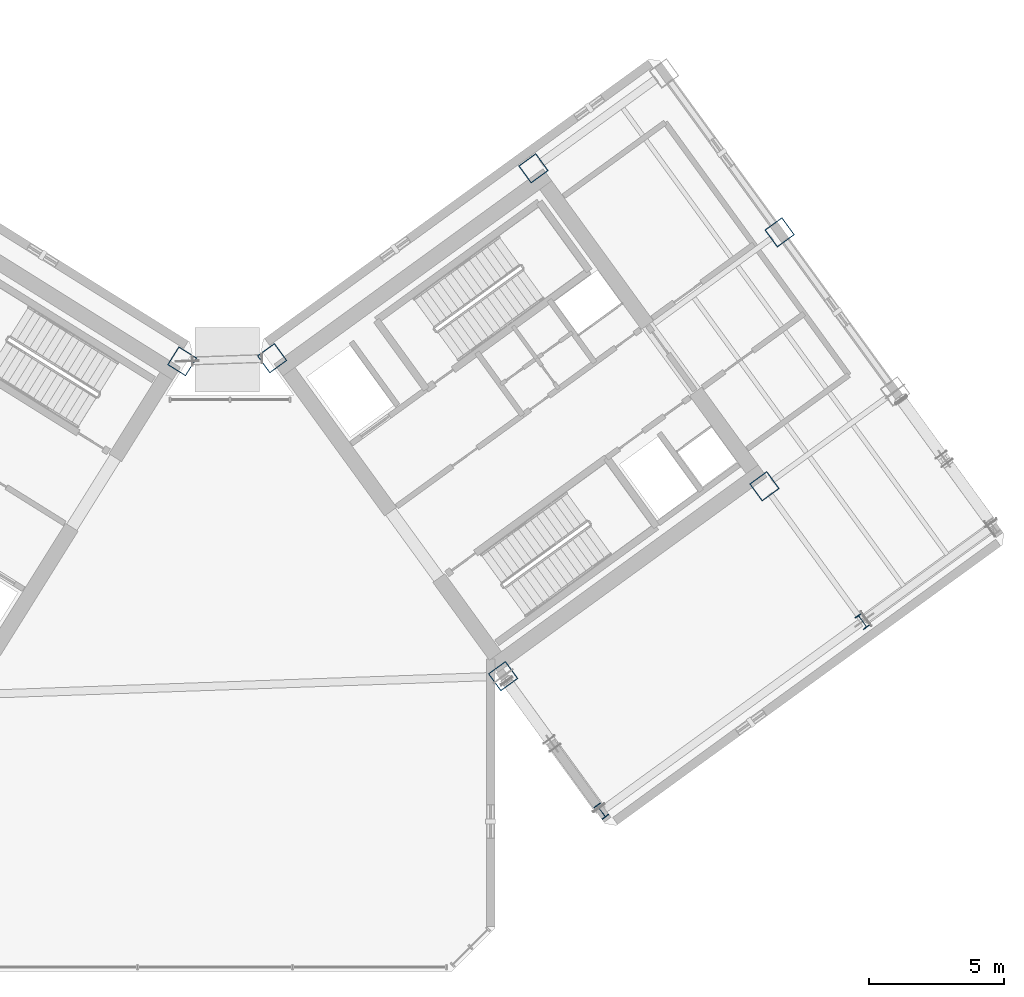
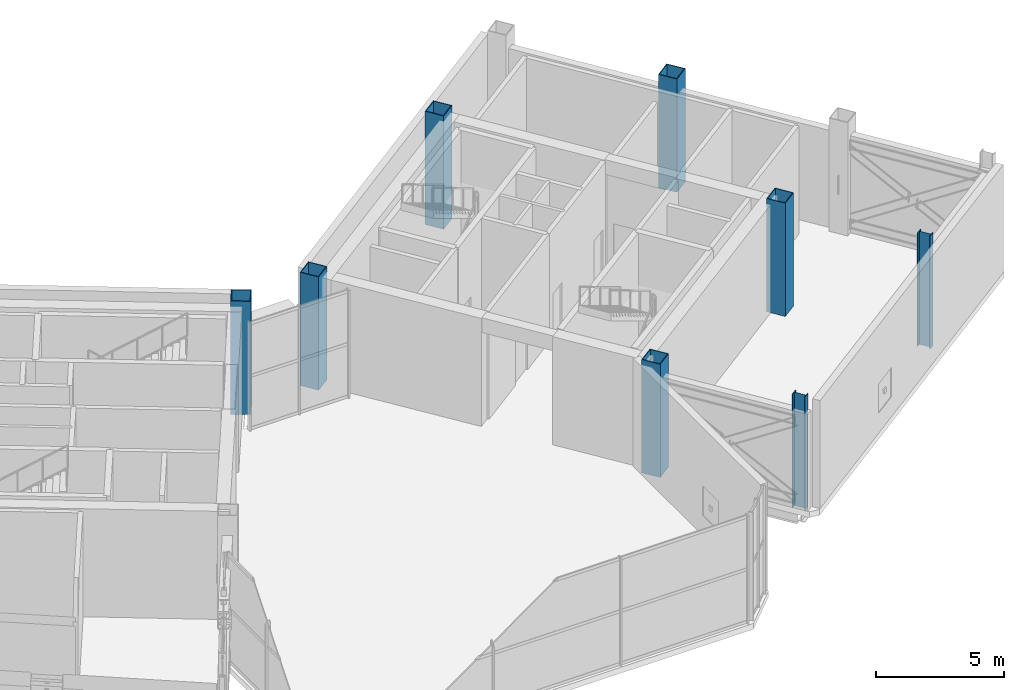
# One storey, part 2 of 30: 8 columns.
"""IFC4 building model written with IfcOpenShell, lengths in metres."""

from ifc_helpers import new_model, si_unit, direction, frame, origin, origin_2d, place, context, subcontext, project, spatial, hollow_rectangle, i_section, extrude, source, transform, mapped, material, material_profile, profile_set, type_object, element, save


model = new_model("IFC4")

# Units and contexts
model_context = context("Model", 3, precision=1e-05, world=origin(), true_north=direction((0.0, 1.0)))
body_context = subcontext(model_context, "Body", "Model", "MODEL_VIEW")
ifc_project = project(units=[si_unit("LENGTHUNIT", "METRE"), si_unit("AREAUNIT", "SQUARE_METRE"), si_unit("VOLUMEUNIT", "CUBIC_METRE"), si_unit("PLANEANGLEUNIT", "RADIAN"), si_unit("MASSUNIT", "GRAM", prefix="KILO")], contexts=[model_context])

# Site, building, storey
site_placement = place(None, origin())
site = spatial("IfcSite", under=ifc_project, at=site_placement, CompositionType="ELEMENT")
building_placement = place(site_placement, origin())
building = spatial("IfcBuilding", under=site, at=building_placement, Name="Tlacorven Tower", CompositionType="ELEMENT")
storey_placement = place(building_placement, frame((0.0, 0.0, 169.5)))
storey = spatial("IfcBuildingStorey", under=building, at=storey_placement, Name="L43", CompositionType="ELEMENT", Elevation=169.5)

# Columns
ifc_material = material(Name="Steel S460M", Category="steel")
ifc_material_profile_1 = material_profile(ifc_material, hollow_rectangle(XDim=0.800048828125, YDim=0.800048828125, WallThickness=0.031982421875, at=origin_2d()), Name="BOX 800X800X32")
ifc_profile_set_1 = profile_set([ifc_material_profile_1], Name="Steel S460M")
column_type_1 = type_object("IfcColumnType", Name="COL-TWR-S3", PredefinedType="COLUMN", material=ifc_profile_set_1)
shared_shape_1 = source(origin(), body_context, "Body", "SweptSolid", [
    extrude(hollow_rectangle(XDim=0.800048828125, YDim=0.800048828125, WallThickness=0.031982421875, at=origin_2d()), origin(), (0.0, 0.0, 1.0), 5.39990234375),
])
for number, where, z_axis, x_axis, name in (
    (1, (40.782958984375, 24.468505859375, 0.0), (0.0, 0.0, 1.0), (-0.848048096156, 0.529919264233, 0.0), "L43 column COL-L43-W1-1"),
    (2, (52.705322265625, 12.7734375, 0.0), (0.0, 0.0, 1.0), (0.809016994375, 0.587785252292, 0.0), "L43 column COL-L43-E1-2"),
    (3, (44.123779296875, 24.5849609375, 0.0), (0.0, 0.0, 1.0), (0.809016994375, 0.587785252292, 0.0), "L43 column COL-L43-E1-4"),
    (4, (62.41357421875, 19.826904296875, 0.0), (0.0, 0.0, 1.0), (0.809016994375, 0.587785252292, 0.0), "L43 column COL-L43-E3-2"),
    (5, (53.83203125, 31.638427734375, 0.0), (0.0, 0.0, 1.0), (0.809016994375, 0.587785252292, 0.0), "L43 column COL-L43-E3-4"),
    (6, (62.976806640625, 29.25927734375, 0.0), (0.0, 0.0, 1.0), (0.809016994375, 0.587785252292, 0.0), "L43 column COL-L43-E4-3"),
):
    element("IfcColumn", number, at=place(storey_placement, frame(where, z_axis=z_axis, x_axis=x_axis)), inside=storey, type_object=column_type_1, Name=name, PredefinedType="COLUMN", context=body_context, shape_type="MappedRepresentation", body=[
        mapped(shared_shape_1, transform((0.0, 0.0, 0.0), scale=1.0)),
    ])
ifc_material_profile_2 = material_profile(ifc_material, i_section(OverallWidth=0.300048828125, OverallDepth=0.550048828125, WebThickness=0.014892578125, FlangeThickness=0.029052734375, at=origin_2d()), Name="HEB 550")
ifc_profile_set_2 = profile_set([ifc_material_profile_2], Name="Steel S460M")
column_type_2 = type_object("IfcColumnType", Name="COL-TWR-P2", PredefinedType="COLUMN", material=ifc_profile_set_2)
shared_shape_2 = source(origin(), body_context, "Body", "SweptSolid", [
    extrude(i_section(OverallWidth=0.300048828125, OverallDepth=0.550048828125, WebThickness=0.014892578125, FlangeThickness=0.029052734375, at=origin_2d()), origin(), (0.0, 0.0, 1.0), 5.39990234375),
])
for number, where, z_axis, x_axis, name in (
    (7, (56.349609375, 7.757568359375, 0.0), (0.0, 0.0, 1.0), (0.809016994375, 0.587785252292, 0.0), "L43 column COL-L43-E1-1"),
    (8, (66.057861328125, 14.81103515625, 0.0), (0.0, 0.0, 1.0), (0.809016994375, 0.587785252292, 0.0), "L43 column COL-L43-E3-1"),
):
    element("IfcColumn", number, at=place(storey_placement, frame(where, z_axis=z_axis, x_axis=x_axis)), inside=storey, type_object=column_type_2, Name=name, PredefinedType="COLUMN", context=body_context, shape_type="MappedRepresentation", body=[
        mapped(shared_shape_2, transform((0.0, 0.0, 0.0), scale=1.0)),
    ])

save(model, "model.ifc")
